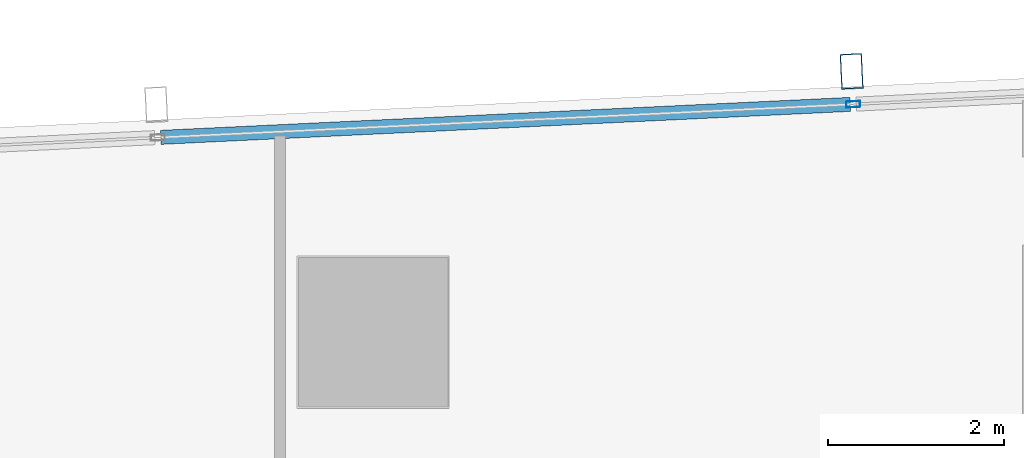
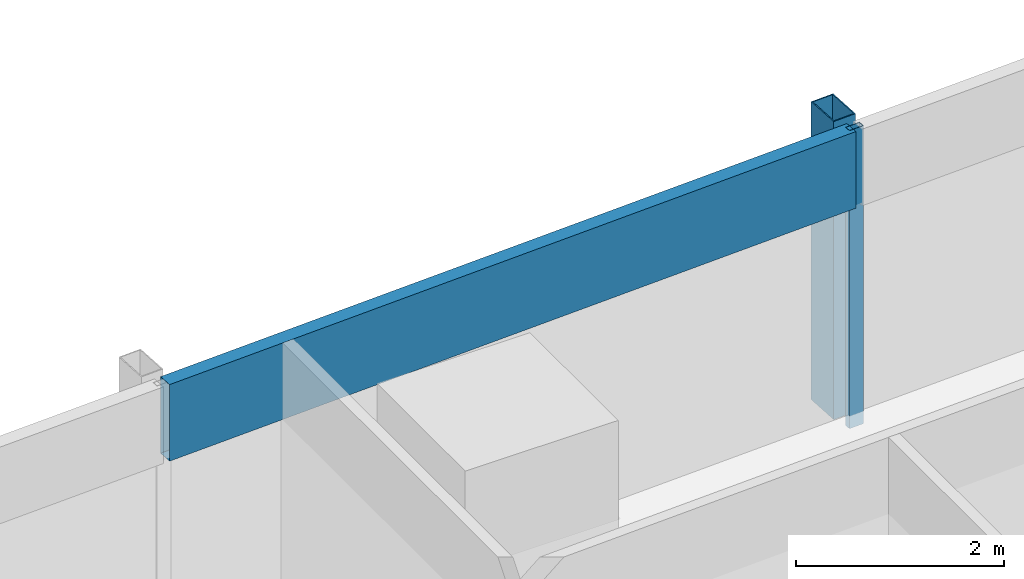
# One storey, part 19 of 39: 3 members, 1 element without a shape of its own.
"""IFC4 building model written with IfcOpenShell, lengths in metres."""

from ifc_helpers import new_model, si_unit, direction, frame, origin, origin_2d, place, context, subcontext, project, spatial, hollow_rectangle, extrude, material, material_profile, profile_set, type_object, element, aggregate, save


model = new_model("IFC4")

# Units and contexts
model_context = context("Model", 3, precision=1e-05, world=origin(), true_north=direction((0.0, 1.0)))
body_context = subcontext(model_context, "Body", "Model", "MODEL_VIEW")
ifc_project = project(units=[si_unit("LENGTHUNIT", "METRE"), si_unit("AREAUNIT", "SQUARE_METRE"), si_unit("VOLUMEUNIT", "CUBIC_METRE"), si_unit("PLANEANGLEUNIT", "RADIAN"), si_unit("MASSUNIT", "GRAM", prefix="KILO")], contexts=[model_context])

# Site, building, storey
site_placement = place(None, origin())
site = spatial("IfcSite", under=ifc_project, at=site_placement, CompositionType="ELEMENT")
building_placement = place(site_placement, origin())
building = spatial("IfcBuilding", under=site, at=building_placement, Name="Rekha Terrace Tower", CompositionType="ELEMENT")
storey_placement = place(building_placement, frame((0.0, 0.0, 183.949951171875)))
storey = spatial("IfcBuildingStorey", under=building, at=storey_placement, Name="L46", CompositionType="ELEMENT", Elevation=183.949951171875)

# Curtain wall, members
ifc_material_1 = material(Name="Aluminium framing", Category="aluminium")
curtain_wall_type = type_object("IfcCurtainWallType", Name="CW3 north unitised glazing", PredefinedType="USERDEFINED", material=ifc_material_1)
curtain_wall_placement = place(storey_placement, origin())
curtain_wall = element("IfcCurtainWall", 1, at=curtain_wall_placement, inside=storey, type_object=curtain_wall_type, Name="CW3 unitised curtain wall", ObjectType="UNITISED CURTAIN WALL", PredefinedType="USERDEFINED")
ifc_material_2 = material(Name="Steel S355 with fluorocarbon finish", Category="steel")
ifc_material_profile_1 = material_profile(ifc_material_2, hollow_rectangle(XDim=0.25, YDim=0.39990234375, WallThickness=0.012451171875, at=origin_2d()), Name="RHS400x250x12.5")
ifc_profile_set_1 = profile_set([ifc_material_profile_1], Name="Steel S355 with fluorocarbon finish")
member_type_1 = type_object("IfcMemberType", Name="BL1 facade blade RHS 400 x 250", PredefinedType="USERDEFINED", material=ifc_profile_set_1)
member_1_placement = place(storey_placement, frame((30.643310546875, 61.767578125, 0.0), z_axis=(0.0, 0.0, 1.0), x_axis=(-0.998858913274, -0.04775846913, 0.0)))
member_1 = element("IfcMember", 2, at=member_1_placement, type_object=member_type_1, Name="Facade blade", ObjectType="FACADE BLADE", PredefinedType="USERDEFINED", context=body_context, shape_type="SweptSolid", body=[
    extrude(hollow_rectangle(XDim=0.25, YDim=0.39990234375, WallThickness=0.012451171875, at=origin_2d()), origin(), (0.0, 0.0, 1.0), 3.5),
])
ifc_material_3 = material(Name="Aluminium mullion section", Category="aluminium")
ifc_material_profile_2 = material_profile(ifc_material_3, hollow_rectangle(XDim=0.070068359375, YDim=0.159912109375, WallThickness=0.00390625, at=origin_2d()), Name="AL RHS 70x160")
ifc_profile_set_2 = profile_set([ifc_material_profile_2], Name="Aluminium mullion section")
member_type_2 = type_object("IfcMemberType", Name="CW3 mullion RHS 70 x 160", PredefinedType="MULLION", material=ifc_profile_set_2)
member_2_placement = place(storey_placement, frame((30.6611328125, 61.39306640625, 0.0), z_axis=(0.0, 0.0, 1.0), x_axis=(0.047758616983, -0.998858906204, 0.0)))
member_2 = element("IfcMember", 3, at=member_2_placement, type_object=member_type_2, Name="CW3 mullion 3", PredefinedType="MULLION", context=body_context, shape_type="SweptSolid", body=[
    extrude(hollow_rectangle(XDim=0.070068359375, YDim=0.159912109375, WallThickness=0.00390625, at=origin_2d()), origin(), (0.0, 0.0, 1.0), 3.5),
])
ifc_material_4 = material(Name="Insulated aluminium spandrel box", Category="aluminium")
ifc_material_profile_3 = material_profile(ifc_material_4, hollow_rectangle(XDim=0.159912109375, YDim=0.89990234375, WallThickness=0.0029296875, at=origin_2d()), Name="AL SPANDREL BOX 160x900")
ifc_profile_set_3 = profile_set([ifc_material_profile_3], Name="Insulated aluminium spandrel box")
member_type_3 = type_object("IfcMemberType", Name="CW3 spandrel transom 160 x 900", PredefinedType="USERDEFINED", material=ifc_profile_set_3)
member_3_placement = place(storey_placement, frame((30.626220703125, 61.391357421875, 3.050048828125), z_axis=(-0.998859323292, -0.047749892907, 0.0), x_axis=(0.047749892907, -0.998859323292, 0.0)))
member_3 = element("IfcMember", 4, at=member_3_placement, type_object=member_type_3, Name="CW3 spandrel transom 3", ObjectType="TRANSOM", PredefinedType="USERDEFINED", context=body_context, shape_type="SweptSolid", body=[
    extrude(hollow_rectangle(XDim=0.159912109375, YDim=0.89990234375, WallThickness=0.0029296875, at=origin_2d()), origin(), (0.0, 0.0, 1.0), 7.848388671875),
])
aggregate(curtain_wall, [member_2, member_3, member_1])

save(model, "model.ifc")
